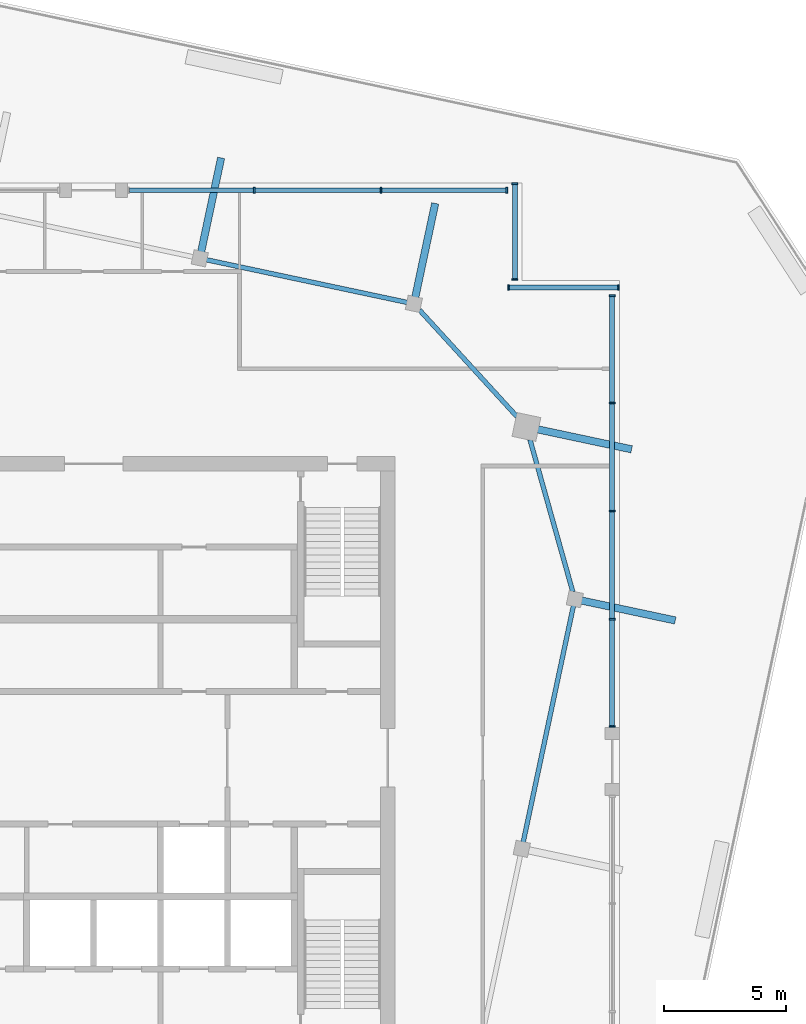
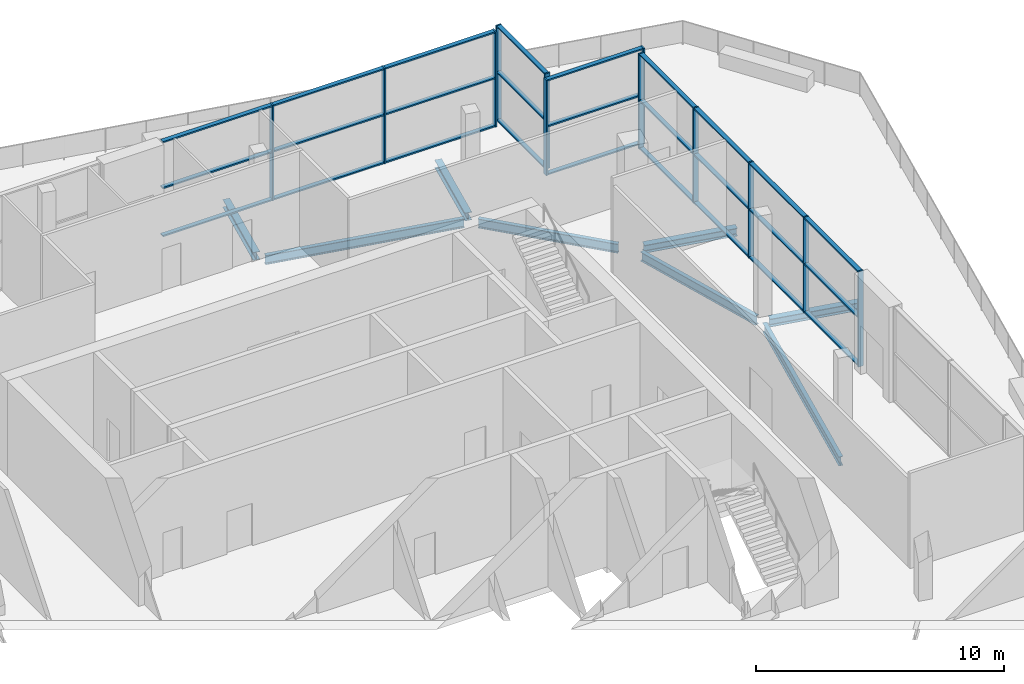
# One storey, part 5 of 14: 39 members, 8 beams, 4 elements without a shape of their own.
"""IFC4 building model written with IfcOpenShell, lengths in metres."""

from ifc_helpers import new_model, si_unit, direction, frame, origin, origin_2d, place, context, subcontext, project, spatial, rectangle, i_section, extrude, material, material_profile, profile_set, type_object, element, aggregate, save


model = new_model("IFC4")

# Units and contexts
model_context = context("Model", 3, precision=1e-05, world=origin(), true_north=direction((0.0, 1.0)))
body_context = subcontext(model_context, "Body", "Model", "MODEL_VIEW")
ifc_project = project(units=[si_unit("LENGTHUNIT", "METRE"), si_unit("AREAUNIT", "SQUARE_METRE"), si_unit("VOLUMEUNIT", "CUBIC_METRE"), si_unit("PLANEANGLEUNIT", "RADIAN"), si_unit("MASSUNIT", "GRAM", prefix="KILO")], contexts=[model_context])

# Site, building, storey
site_placement = place(None, origin())
site = spatial("IfcSite", under=ifc_project, at=site_placement, CompositionType="ELEMENT")
building_placement = place(site_placement, origin())
building = spatial("IfcBuilding", under=site, at=building_placement, Name="Dilmun Exchange Tower", CompositionType="ELEMENT")
storey_placement = place(building_placement, frame((0.0, 0.0, 368.10009765625)))
storey = spatial("IfcBuildingStorey", under=building, at=storey_placement, Name="Crown L86", CompositionType="ELEMENT", Elevation=368.10009765625)

# Curtain wall, members
ifc_material_1 = material(Name="Anodised aluminium and clear glass", Category="aluminium")
curtain_wall_type = type_object("IfcCurtainWallType", Name="Observation lounge glazing", PredefinedType="NOTDEFINED", material=ifc_material_1)
curtain_wall_1_placement = place(storey_placement, origin())
curtain_wall_1 = element("IfcCurtainWall", 1, at=curtain_wall_1_placement, inside=storey, type_object=curtain_wall_type, Name="Observation lounge glazing run OL1", PredefinedType="NOTDEFINED")
ifc_material_2 = material(Name="Anodised aluminium", Category="aluminium")
ifc_material_profile_1 = material_profile(ifc_material_2, rectangle(XDim=0.239990234375, YDim=0.070068359375, at=origin_2d()), Name="AL 70x240")
ifc_profile_set_1 = profile_set([ifc_material_profile_1], Name="Anodised aluminium")
member_type_1 = type_object("IfcMemberType", Name="Observation lounge glazing mullion 70 x 240", PredefinedType="MULLION", material=ifc_profile_set_1)
member_1_placement = place(storey_placement, frame((21.58837890625, 19.340087890625, 0.0), z_axis=(0.0, 0.0, 1.0), x_axis=(0.0, -1.0, 0.0)))
member_1 = element("IfcMember", 2, at=member_1_placement, type_object=member_type_1, Name="OL1 mullion 1", PredefinedType="MULLION", context=body_context, shape_type="SweptSolid", body=[
    extrude(rectangle(XDim=0.239990234375, YDim=0.070068359375, at=origin_2d()), origin(), (0.0, 0.0, 1.0), 4.699951171875),
])
member_2_placement = place(storey_placement, frame((17.05859375, 19.340087890625, 0.0), z_axis=(0.0, 0.0, 1.0), x_axis=(0.0, -1.0, 0.0)))
member_2 = element("IfcMember", 3, at=member_2_placement, type_object=member_type_1, Name="OL1 mullion 2", PredefinedType="MULLION", context=body_context, shape_type="SweptSolid", body=[
    extrude(rectangle(XDim=0.239990234375, YDim=0.070068359375, at=origin_2d()), origin(), (0.0, 0.0, 1.0), 4.699951171875),
])

curtain_wall_2_placement = place(storey_placement, origin())
curtain_wall_2 = element("IfcCurtainWall", 4, at=curtain_wall_2_placement, inside=storey, type_object=curtain_wall_type, Name="Observation lounge glazing run OL2", PredefinedType="NOTDEFINED")
member_3_placement = place(storey_placement, frame((17.323486328125, 19.67529296875, 0.0), z_axis=(0.0, 0.0, 1.0), x_axis=(-1.0, 0.0, 0.0)))
member_3 = element("IfcMember", 5, at=member_3_placement, type_object=member_type_1, Name="OL2 mullion 1", PredefinedType="MULLION", context=body_context, shape_type="SweptSolid", body=[
    extrude(rectangle(XDim=0.239990234375, YDim=0.070068359375, at=origin_2d()), origin(), (0.0, 0.0, 1.0), 4.699951171875),
])
member_4_placement = place(storey_placement, frame((17.323486328125, 23.605224609375, 0.0), z_axis=(0.0, 0.0, 1.0), x_axis=(-1.0, 0.0, 0.0)))
member_4 = element("IfcMember", 6, at=member_4_placement, type_object=member_type_1, Name="OL2 mullion 2", PredefinedType="MULLION", context=body_context, shape_type="SweptSolid", body=[
    extrude(rectangle(XDim=0.239990234375, YDim=0.070068359375, at=origin_2d()), origin(), (0.0, 0.0, 1.0), 4.699951171875),
])

curtain_wall_3_placement = place(storey_placement, origin())
curtain_wall_3 = element("IfcCurtainWall", 7, at=curtain_wall_3_placement, inside=storey, type_object=curtain_wall_type, Name="Observation lounge glazing run OL3.1", PredefinedType="NOTDEFINED")
member_5_placement = place(storey_placement, frame((16.988525390625, 23.340087890625, 0.0), z_axis=(0.0, 0.0, 1.0), x_axis=(0.0, -1.0, 0.0)))
member_5 = element("IfcMember", 8, at=member_5_placement, type_object=member_type_1, Name="OL3.1 mullion 1", PredefinedType="MULLION", context=body_context, shape_type="SweptSolid", body=[
    extrude(rectangle(XDim=0.239990234375, YDim=0.070068359375, at=origin_2d()), origin(), (0.0, 0.0, 1.0), 4.699951171875),
])
member_6_placement = place(storey_placement, frame((11.815673828125, 23.340087890625, 0.0), z_axis=(0.0, 0.0, 1.0), x_axis=(0.0, -1.0, 0.0)))
member_6 = element("IfcMember", 9, at=member_6_placement, type_object=member_type_1, Name="OL3.1 mullion 2", PredefinedType="MULLION", context=body_context, shape_type="SweptSolid", body=[
    extrude(rectangle(XDim=0.239990234375, YDim=0.070068359375, at=origin_2d()), origin(), (0.0, 0.0, 1.0), 4.699951171875),
])
member_7_placement = place(storey_placement, frame((6.60791015625, 23.340087890625, 0.0), z_axis=(0.0, 0.0, 1.0), x_axis=(0.0, -1.0, 0.0)))
member_7 = element("IfcMember", 10, at=member_7_placement, type_object=member_type_1, Name="OL3.1 mullion 3", PredefinedType="MULLION", context=body_context, shape_type="SweptSolid", body=[
    extrude(rectangle(XDim=0.239990234375, YDim=0.070068359375, at=origin_2d()), origin(), (0.0, 0.0, 1.0), 4.699951171875),
])

curtain_wall_4_placement = place(storey_placement, origin())
curtain_wall_4 = element("IfcCurtainWall", 11, at=curtain_wall_4_placement, inside=storey, type_object=curtain_wall_type, Name="Observation lounge glazing run OL12.E", PredefinedType="NOTDEFINED")
member_8_placement = place(storey_placement, frame((21.323486328125, 1.2880859375, 0.0), z_axis=(0.0, 0.0, 1.0), x_axis=(-1.0, 0.0, 0.0)))
member_8 = element("IfcMember", 12, at=member_8_placement, type_object=member_type_1, Name="OL12.E mullion 1", PredefinedType="MULLION", context=body_context, shape_type="SweptSolid", body=[
    extrude(rectangle(XDim=0.239990234375, YDim=0.070068359375, at=origin_2d()), origin(), (0.0, 0.0, 1.0), 4.699951171875),
])
member_9_placement = place(storey_placement, frame((21.323486328125, 5.69970703125, 0.0), z_axis=(0.0, 0.0, 1.0), x_axis=(-1.0, 0.0, 0.0)))
member_9 = element("IfcMember", 13, at=member_9_placement, type_object=member_type_1, Name="OL12.E mullion 2", PredefinedType="MULLION", context=body_context, shape_type="SweptSolid", body=[
    extrude(rectangle(XDim=0.239990234375, YDim=0.070068359375, at=origin_2d()), origin(), (0.0, 0.0, 1.0), 4.699951171875),
])
member_10_placement = place(storey_placement, frame((21.323486328125, 10.146484375, 0.0), z_axis=(0.0, 0.0, 1.0), x_axis=(-1.0, 0.0, 0.0)))
member_10 = element("IfcMember", 14, at=member_10_placement, type_object=member_type_1, Name="OL12.E mullion 3", PredefinedType="MULLION", context=body_context, shape_type="SweptSolid", body=[
    extrude(rectangle(XDim=0.239990234375, YDim=0.070068359375, at=origin_2d()), origin(), (0.0, 0.0, 1.0), 4.699951171875),
])
member_11_placement = place(storey_placement, frame((21.323486328125, 14.593505859375, 0.0), z_axis=(0.0, 0.0, 1.0), x_axis=(-1.0, 0.0, 0.0)))
member_11 = element("IfcMember", 15, at=member_11_placement, type_object=member_type_1, Name="OL12.E mullion 4", PredefinedType="MULLION", context=body_context, shape_type="SweptSolid", body=[
    extrude(rectangle(XDim=0.239990234375, YDim=0.070068359375, at=origin_2d()), origin(), (0.0, 0.0, 1.0), 4.699951171875),
])
member_12_placement = place(storey_placement, frame((21.323486328125, 19.005126953125, 0.0), z_axis=(0.0, 0.0, 1.0), x_axis=(-1.0, 0.0, 0.0)))
member_12 = element("IfcMember", 16, at=member_12_placement, type_object=member_type_1, Name="OL12.E mullion 5", PredefinedType="MULLION", context=body_context, shape_type="SweptSolid", body=[
    extrude(rectangle(XDim=0.239990234375, YDim=0.070068359375, at=origin_2d()), origin(), (0.0, 0.0, 1.0), 4.699951171875),
])

# Member
ifc_material_profile_2 = material_profile(ifc_material_2, rectangle(XDim=0.199951171875, YDim=0.070068359375, at=origin_2d()), Name="AL 70x200")
ifc_profile_set_2 = profile_set([ifc_material_profile_2], Name="Anodised aluminium")
member_type_2 = type_object("IfcMemberType", Name="Observation lounge glazing transom 70 x 200", PredefinedType="USERDEFINED", material=ifc_profile_set_2)
member_13_placement = place(storey_placement, frame((21.553466796875, 19.340087890625, 0.034912109375), z_axis=(-1.0, 0.0, 0.0), x_axis=(0.0, -1.0, 0.0)))
member_13 = element("IfcMember", 17, at=member_13_placement, type_object=member_type_2, Name="OL1 transom 1.1", ObjectType="TRANSOM", PredefinedType="USERDEFINED", context=body_context, shape_type="SweptSolid", body=[
    extrude(rectangle(XDim=0.199951171875, YDim=0.070068359375, at=origin_2d()), origin(), (0.0, 0.0, 1.0), 4.4599609375),
])

member_14_placement = place(storey_placement, frame((21.553466796875, 19.340087890625, 2.39990234375), z_axis=(-1.0, 0.0, 0.0), x_axis=(0.0, -1.0, 0.0)))
member_14 = element("IfcMember", 18, at=member_14_placement, type_object=member_type_2, Name="OL1 transom 1.2", ObjectType="TRANSOM", PredefinedType="USERDEFINED", context=body_context, shape_type="SweptSolid", body=[
    extrude(rectangle(XDim=0.199951171875, YDim=0.070068359375, at=origin_2d()), origin(), (0.0, 0.0, 1.0), 4.4599609375),
])

member_15_placement = place(storey_placement, frame((21.553466796875, 19.340087890625, 4.664794921875), z_axis=(-1.0, 0.0, 0.0), x_axis=(0.0, -1.0, 0.0)))
member_15 = element("IfcMember", 19, at=member_15_placement, type_object=member_type_2, Name="OL1 transom 1.3", ObjectType="TRANSOM", PredefinedType="USERDEFINED", context=body_context, shape_type="SweptSolid", body=[
    extrude(rectangle(XDim=0.199951171875, YDim=0.070068359375, at=origin_2d()), origin(), (0.0, 0.0, 1.0), 4.4599609375),
])

aggregate(curtain_wall_1, [member_1, member_2, member_13, member_14, member_15])

member_16_placement = place(storey_placement, frame((17.323486328125, 19.710205078125, 0.034912109375), z_axis=(0.0, 1.0, 0.0), x_axis=(-1.0, 0.0, 0.0)))
member_16 = element("IfcMember", 20, at=member_16_placement, type_object=member_type_2, Name="OL2 transom 1.1", ObjectType="TRANSOM", PredefinedType="USERDEFINED", context=body_context, shape_type="SweptSolid", body=[
    extrude(rectangle(XDim=0.199951171875, YDim=0.070068359375, at=origin_2d()), origin(), (0.0, 0.0, 1.0), 3.860107421875),
])

member_17_placement = place(storey_placement, frame((17.323486328125, 19.710205078125, 2.39990234375), z_axis=(0.0, 1.0, 0.0), x_axis=(-1.0, 0.0, 0.0)))
member_17 = element("IfcMember", 21, at=member_17_placement, type_object=member_type_2, Name="OL2 transom 1.2", ObjectType="TRANSOM", PredefinedType="USERDEFINED", context=body_context, shape_type="SweptSolid", body=[
    extrude(rectangle(XDim=0.199951171875, YDim=0.070068359375, at=origin_2d()), origin(), (0.0, 0.0, 1.0), 3.860107421875),
])

member_18_placement = place(storey_placement, frame((17.323486328125, 19.710205078125, 4.664794921875), z_axis=(0.0, 1.0, 0.0), x_axis=(-1.0, 0.0, 0.0)))
member_18 = element("IfcMember", 22, at=member_18_placement, type_object=member_type_2, Name="OL2 transom 1.3", ObjectType="TRANSOM", PredefinedType="USERDEFINED", context=body_context, shape_type="SweptSolid", body=[
    extrude(rectangle(XDim=0.199951171875, YDim=0.070068359375, at=origin_2d()), origin(), (0.0, 0.0, 1.0), 3.860107421875),
])

aggregate(curtain_wall_2, [member_3, member_4, member_16, member_17, member_18])

member_19_placement = place(storey_placement, frame((16.95361328125, 23.340087890625, 0.034912109375), z_axis=(-1.0, 0.0, 0.0), x_axis=(0.0, -1.0, 0.0)))
member_19 = element("IfcMember", 23, at=member_19_placement, type_object=member_type_2, Name="OL3.1 transom 1.1", ObjectType="TRANSOM", PredefinedType="USERDEFINED", context=body_context, shape_type="SweptSolid", body=[
    extrude(rectangle(XDim=0.199951171875, YDim=0.070068359375, at=origin_2d()), origin(), (0.0, 0.0, 1.0), 5.10302734375),
])

member_20_placement = place(storey_placement, frame((16.95361328125, 23.340087890625, 2.39990234375), z_axis=(-1.0, 0.0, 0.0), x_axis=(0.0, -1.0, 0.0)))
member_20 = element("IfcMember", 24, at=member_20_placement, type_object=member_type_2, Name="OL3.1 transom 1.2", ObjectType="TRANSOM", PredefinedType="USERDEFINED", context=body_context, shape_type="SweptSolid", body=[
    extrude(rectangle(XDim=0.199951171875, YDim=0.070068359375, at=origin_2d()), origin(), (0.0, 0.0, 1.0), 5.10302734375),
])

member_21_placement = place(storey_placement, frame((16.95361328125, 23.340087890625, 4.664794921875), z_axis=(-1.0, 0.0, 0.0), x_axis=(0.0, -1.0, 0.0)))
member_21 = element("IfcMember", 25, at=member_21_placement, type_object=member_type_2, Name="OL3.1 transom 1.3", ObjectType="TRANSOM", PredefinedType="USERDEFINED", context=body_context, shape_type="SweptSolid", body=[
    extrude(rectangle(XDim=0.199951171875, YDim=0.070068359375, at=origin_2d()), origin(), (0.0, 0.0, 1.0), 5.10302734375),
])

member_22_placement = place(storey_placement, frame((11.78076171875, 23.340087890625, 0.034912109375), z_axis=(-1.0, 0.0, 0.0), x_axis=(0.0, -1.0, 0.0)))
member_22 = element("IfcMember", 26, at=member_22_placement, type_object=member_type_2, Name="OL3.1 transom 2.1", ObjectType="TRANSOM", PredefinedType="USERDEFINED", context=body_context, shape_type="SweptSolid", body=[
    extrude(rectangle(XDim=0.199951171875, YDim=0.070068359375, at=origin_2d()), origin(), (0.0, 0.0, 1.0), 5.137939453125),
])

member_23_placement = place(storey_placement, frame((11.78076171875, 23.340087890625, 2.39990234375), z_axis=(-1.0, 0.0, 0.0), x_axis=(0.0, -1.0, 0.0)))
member_23 = element("IfcMember", 27, at=member_23_placement, type_object=member_type_2, Name="OL3.1 transom 2.2", ObjectType="TRANSOM", PredefinedType="USERDEFINED", context=body_context, shape_type="SweptSolid", body=[
    extrude(rectangle(XDim=0.199951171875, YDim=0.070068359375, at=origin_2d()), origin(), (0.0, 0.0, 1.0), 5.137939453125),
])

member_24_placement = place(storey_placement, frame((11.78076171875, 23.340087890625, 4.664794921875), z_axis=(-1.0, 0.0, 0.0), x_axis=(0.0, -1.0, 0.0)))
member_24 = element("IfcMember", 28, at=member_24_placement, type_object=member_type_2, Name="OL3.1 transom 2.3", ObjectType="TRANSOM", PredefinedType="USERDEFINED", context=body_context, shape_type="SweptSolid", body=[
    extrude(rectangle(XDim=0.199951171875, YDim=0.070068359375, at=origin_2d()), origin(), (0.0, 0.0, 1.0), 5.137939453125),
])

member_25_placement = place(storey_placement, frame((6.57275390625, 23.340087890625, 0.034912109375), z_axis=(-1.0, 0.0, 0.0), x_axis=(0.0, -1.0, 0.0)))
member_25 = element("IfcMember", 29, at=member_25_placement, type_object=member_type_2, Name="OL3.1 transom 3.1", ObjectType="TRANSOM", PredefinedType="USERDEFINED", context=body_context, shape_type="SweptSolid", body=[
    extrude(rectangle(XDim=0.199951171875, YDim=0.070068359375, at=origin_2d()), origin(), (0.0, 0.0, 1.0), 5.102783203125),
])

member_26_placement = place(storey_placement, frame((6.57275390625, 23.340087890625, 2.39990234375), z_axis=(-1.0, 0.0, 0.0), x_axis=(0.0, -1.0, 0.0)))
member_26 = element("IfcMember", 30, at=member_26_placement, type_object=member_type_2, Name="OL3.1 transom 3.2", ObjectType="TRANSOM", PredefinedType="USERDEFINED", context=body_context, shape_type="SweptSolid", body=[
    extrude(rectangle(XDim=0.199951171875, YDim=0.070068359375, at=origin_2d()), origin(), (0.0, 0.0, 1.0), 5.102783203125),
])

member_27_placement = place(storey_placement, frame((6.57275390625, 23.340087890625, 4.664794921875), z_axis=(-1.0, 0.0, 0.0), x_axis=(0.0, -1.0, 0.0)))
member_27 = element("IfcMember", 31, at=member_27_placement, type_object=member_type_2, Name="OL3.1 transom 3.3", ObjectType="TRANSOM", PredefinedType="USERDEFINED", context=body_context, shape_type="SweptSolid", body=[
    extrude(rectangle(XDim=0.199951171875, YDim=0.070068359375, at=origin_2d()), origin(), (0.0, 0.0, 1.0), 5.102783203125),
])

aggregate(curtain_wall_3, [member_5, member_6, member_7, member_19, member_20, member_21, member_22, member_23, member_24, member_25, member_26, member_27])

member_28_placement = place(storey_placement, frame((21.323486328125, 1.322998046875, 0.034912109375), z_axis=(0.0, 1.0, 0.0), x_axis=(-1.0, 0.0, 0.0)))
member_28 = element("IfcMember", 32, at=member_28_placement, type_object=member_type_2, Name="OL12.E transom 1.1", ObjectType="TRANSOM", PredefinedType="USERDEFINED", context=body_context, shape_type="SweptSolid", body=[
    extrude(rectangle(XDim=0.199951171875, YDim=0.070068359375, at=origin_2d()), origin(), (0.0, 0.0, 1.0), 4.341796875),
])

member_29_placement = place(storey_placement, frame((21.323486328125, 1.322998046875, 2.39990234375), z_axis=(0.0, 1.0, 0.0), x_axis=(-1.0, 0.0, 0.0)))
member_29 = element("IfcMember", 33, at=member_29_placement, type_object=member_type_2, Name="OL12.E transom 1.2", ObjectType="TRANSOM", PredefinedType="USERDEFINED", context=body_context, shape_type="SweptSolid", body=[
    extrude(rectangle(XDim=0.199951171875, YDim=0.070068359375, at=origin_2d()), origin(), (0.0, 0.0, 1.0), 4.341796875),
])

member_30_placement = place(storey_placement, frame((21.323486328125, 1.322998046875, 4.664794921875), z_axis=(0.0, 1.0, 0.0), x_axis=(-1.0, 0.0, 0.0)))
member_30 = element("IfcMember", 34, at=member_30_placement, type_object=member_type_2, Name="OL12.E transom 1.3", ObjectType="TRANSOM", PredefinedType="USERDEFINED", context=body_context, shape_type="SweptSolid", body=[
    extrude(rectangle(XDim=0.199951171875, YDim=0.070068359375, at=origin_2d()), origin(), (0.0, 0.0, 1.0), 4.341796875),
])

member_31_placement = place(storey_placement, frame((21.323486328125, 5.73486328125, 0.034912109375), z_axis=(0.0, 1.0, 0.0), x_axis=(-1.0, 0.0, 0.0)))
member_31 = element("IfcMember", 35, at=member_31_placement, type_object=member_type_2, Name="OL12.E transom 2.1", ObjectType="TRANSOM", PredefinedType="USERDEFINED", context=body_context, shape_type="SweptSolid", body=[
    extrude(rectangle(XDim=0.199951171875, YDim=0.070068359375, at=origin_2d()), origin(), (0.0, 0.0, 1.0), 4.376708984375),
])

member_32_placement = place(storey_placement, frame((21.323486328125, 5.73486328125, 2.39990234375), z_axis=(0.0, 1.0, 0.0), x_axis=(-1.0, 0.0, 0.0)))
member_32 = element("IfcMember", 36, at=member_32_placement, type_object=member_type_2, Name="OL12.E transom 2.2", ObjectType="TRANSOM", PredefinedType="USERDEFINED", context=body_context, shape_type="SweptSolid", body=[
    extrude(rectangle(XDim=0.199951171875, YDim=0.070068359375, at=origin_2d()), origin(), (0.0, 0.0, 1.0), 4.376708984375),
])

member_33_placement = place(storey_placement, frame((21.323486328125, 5.73486328125, 4.664794921875), z_axis=(0.0, 1.0, 0.0), x_axis=(-1.0, 0.0, 0.0)))
member_33 = element("IfcMember", 37, at=member_33_placement, type_object=member_type_2, Name="OL12.E transom 2.3", ObjectType="TRANSOM", PredefinedType="USERDEFINED", context=body_context, shape_type="SweptSolid", body=[
    extrude(rectangle(XDim=0.199951171875, YDim=0.070068359375, at=origin_2d()), origin(), (0.0, 0.0, 1.0), 4.376708984375),
])

member_34_placement = place(storey_placement, frame((21.323486328125, 10.181640625, 0.034912109375), z_axis=(0.0, 1.0, 0.0), x_axis=(-1.0, 0.0, 0.0)))
member_34 = element("IfcMember", 38, at=member_34_placement, type_object=member_type_2, Name="OL12.E transom 3.1", ObjectType="TRANSOM", PredefinedType="USERDEFINED", context=body_context, shape_type="SweptSolid", body=[
    extrude(rectangle(XDim=0.199951171875, YDim=0.070068359375, at=origin_2d()), origin(), (0.0, 0.0, 1.0), 4.376708984375),
])

member_35_placement = place(storey_placement, frame((21.323486328125, 10.181640625, 2.39990234375), z_axis=(0.0, 1.0, 0.0), x_axis=(-1.0, 0.0, 0.0)))
member_35 = element("IfcMember", 39, at=member_35_placement, type_object=member_type_2, Name="OL12.E transom 3.2", ObjectType="TRANSOM", PredefinedType="USERDEFINED", context=body_context, shape_type="SweptSolid", body=[
    extrude(rectangle(XDim=0.199951171875, YDim=0.070068359375, at=origin_2d()), origin(), (0.0, 0.0, 1.0), 4.376708984375),
])

member_36_placement = place(storey_placement, frame((21.323486328125, 10.181640625, 4.664794921875), z_axis=(0.0, 1.0, 0.0), x_axis=(-1.0, 0.0, 0.0)))
member_36 = element("IfcMember", 40, at=member_36_placement, type_object=member_type_2, Name="OL12.E transom 3.3", ObjectType="TRANSOM", PredefinedType="USERDEFINED", context=body_context, shape_type="SweptSolid", body=[
    extrude(rectangle(XDim=0.199951171875, YDim=0.070068359375, at=origin_2d()), origin(), (0.0, 0.0, 1.0), 4.376708984375),
])

member_37_placement = place(storey_placement, frame((21.323486328125, 14.62841796875, 0.034912109375), z_axis=(0.0, 1.0, 0.0), x_axis=(-1.0, 0.0, 0.0)))
member_37 = element("IfcMember", 41, at=member_37_placement, type_object=member_type_2, Name="OL12.E transom 4.1", ObjectType="TRANSOM", PredefinedType="USERDEFINED", context=body_context, shape_type="SweptSolid", body=[
    extrude(rectangle(XDim=0.199951171875, YDim=0.070068359375, at=origin_2d()), origin(), (0.0, 0.0, 1.0), 4.341796875),
])

member_38_placement = place(storey_placement, frame((21.323486328125, 14.62841796875, 2.39990234375), z_axis=(0.0, 1.0, 0.0), x_axis=(-1.0, 0.0, 0.0)))
member_38 = element("IfcMember", 42, at=member_38_placement, type_object=member_type_2, Name="OL12.E transom 4.2", ObjectType="TRANSOM", PredefinedType="USERDEFINED", context=body_context, shape_type="SweptSolid", body=[
    extrude(rectangle(XDim=0.199951171875, YDim=0.070068359375, at=origin_2d()), origin(), (0.0, 0.0, 1.0), 4.341796875),
])

member_39_placement = place(storey_placement, frame((21.323486328125, 14.62841796875, 4.664794921875), z_axis=(0.0, 1.0, 0.0), x_axis=(-1.0, 0.0, 0.0)))
member_39 = element("IfcMember", 43, at=member_39_placement, type_object=member_type_2, Name="OL12.E transom 4.3", ObjectType="TRANSOM", PredefinedType="USERDEFINED", context=body_context, shape_type="SweptSolid", body=[
    extrude(rectangle(XDim=0.199951171875, YDim=0.070068359375, at=origin_2d()), origin(), (0.0, 0.0, 1.0), 4.341796875),
])

aggregate(curtain_wall_4, [member_8, member_9, member_10, member_11, member_12, member_28, member_29, member_30, member_31, member_32, member_33, member_34, member_35, member_36, member_37, member_38, member_39])

# Beams
ifc_material_3 = material(Name="Steel S355", Category="steel")
ifc_material_profile_3 = material_profile(ifc_material_3, i_section(OverallWidth=0.300048828125, OverallDepth=0.389892578125, WebThickness=0.010986328125, FlangeThickness=0.01904296875, FilletRadius=0.027099609375, at=origin_2d()), Name="HEA 400")
ifc_profile_set_3 = profile_set([ifc_material_profile_3], Name="Steel S355")
beam_type_1 = type_object("IfcBeamType", Name="crown cantilever beam HEA 400", PredefinedType="BEAM", material=ifc_profile_set_3)
beam_1_placement = place(storey_placement, frame((20.056884765625, 6.47119140625, -0.4951171875), z_axis=(0.978146596989, -0.207916413008, 0.0), x_axis=(0.207916413008, 0.978146596989, 0.0)))
element("IfcBeam", 44, at=beam_1_placement, inside=storey, type_object=beam_type_1, Name="Crown cantilever beam 12", PredefinedType="BEAM", context=body_context, shape_type="SweptSolid", body=[
    extrude(i_section(OverallWidth=0.300048828125, OverallDepth=0.389892578125, WebThickness=0.010986328125, FlangeThickness=0.01904296875, FilletRadius=0.027099609375, at=origin_2d()), origin(), (0.0, 0.0, 1.0), 3.9501953125),
])
beam_2_placement = place(storey_placement, frame((18.2607421875, 13.5087890625, -0.4951171875), z_axis=(0.978143924908, -0.207928983469, 0.0), x_axis=(0.207928983469, 0.978143924908, 0.0)))
element("IfcBeam", 45, at=beam_2_placement, inside=storey, type_object=beam_type_1, Name="Crown cantilever beam 13", PredefinedType="BEAM", context=body_context, shape_type="SweptSolid", body=[
    extrude(i_section(OverallWidth=0.300048828125, OverallDepth=0.389892578125, WebThickness=0.010986328125, FlangeThickness=0.01904296875, FilletRadius=0.027099609375, at=origin_2d()), origin(), (0.0, 0.0, 1.0), 3.949951171875),
])
beam_3_placement = place(storey_placement, frame((13.225830078125, 18.93701171875, -0.4951171875), z_axis=(0.207916413008, 0.978146596989, 0.0), x_axis=(-0.978146596989, 0.207916413008, 0.0)))
element("IfcBeam", 46, at=beam_3_placement, inside=storey, type_object=beam_type_1, Name="Crown cantilever beam 14", PredefinedType="BEAM", context=body_context, shape_type="SweptSolid", body=[
    extrude(i_section(OverallWidth=0.300048828125, OverallDepth=0.389892578125, WebThickness=0.010986328125, FlangeThickness=0.01904296875, FilletRadius=0.027099609375, at=origin_2d()), origin(), (0.0, 0.0, 1.0), 3.9501953125),
])
beam_4_placement = place(storey_placement, frame((4.4228515625, 20.80810546875, -0.4951171875), z_axis=(0.20786984461, 0.978156494484, 0.0), x_axis=(-0.978156494484, 0.20786984461, 0.0)))
element("IfcBeam", 47, at=beam_4_placement, inside=storey, type_object=beam_type_1, Name="Crown cantilever beam 15", PredefinedType="BEAM", context=body_context, shape_type="SweptSolid", body=[
    extrude(i_section(OverallWidth=0.300048828125, OverallDepth=0.389892578125, WebThickness=0.010986328125, FlangeThickness=0.01904296875, FilletRadius=0.027099609375, at=origin_2d()), origin(), (0.0, 0.0, 1.0), 3.94970703125),
])
ifc_material_profile_4 = material_profile(ifc_material_3, i_section(OverallWidth=0.18994140625, OverallDepth=0.449951171875, WebThickness=0.009521484375, FlangeThickness=0.0146484375, FilletRadius=0.02099609375, at=origin_2d()), Name="IPE 450")
ifc_profile_set_4 = profile_set([ifc_material_profile_4], Name="Steel S355")
beam_type_2 = type_object("IfcBeamType", Name="crown ring beam IPE 450", PredefinedType="BEAM", material=ifc_profile_set_4)
beam_5_placement = place(storey_placement, frame((17.663818359375, -3.47509765625, -0.525146484375), z_axis=(0.207898944968, 0.978150309861, 0.0), x_axis=(-0.978150309861, 0.207898944968, 0.0)))
element("IfcBeam", 48, at=beam_5_placement, inside=storey, type_object=beam_type_2, Name="Crown ring beam 11", PredefinedType="BEAM", context=body_context, shape_type="SweptSolid", body=[
    extrude(i_section(OverallWidth=0.18994140625, OverallDepth=0.449951171875, WebThickness=0.009521484375, FlangeThickness=0.0146484375, FilletRadius=0.02099609375, at=origin_2d()), origin(), (0.0, 0.0, 1.0), 9.95361328125),
])
beam_6_placement = place(storey_placement, frame((19.70556640625, 6.828125, -0.525146484375), z_axis=(-0.27088688056, 0.962611187313, 0.0), x_axis=(-0.962611187313, -0.27088688056, 0.0)))
element("IfcBeam", 49, at=beam_6_placement, inside=storey, type_object=beam_type_2, Name="Crown ring beam 12", PredefinedType="BEAM", context=body_context, shape_type="SweptSolid", body=[
    extrude(i_section(OverallWidth=0.18994140625, OverallDepth=0.449951171875, WebThickness=0.009521484375, FlangeThickness=0.0146484375, FilletRadius=0.02099609375, at=origin_2d()), origin(), (0.0, 0.0, 1.0), 6.50439453125),
])
beam_7_placement = place(storey_placement, frame((17.401611328125, 14.040771484375, -0.525146484375), z_axis=(-0.674784574678, 0.738014754443, 0.0), x_axis=(-0.738014754443, -0.674784574678, 0.0)))
element("IfcBeam", 50, at=beam_7_placement, inside=storey, type_object=beam_type_2, Name="Crown ring beam 13", PredefinedType="BEAM", context=body_context, shape_type="SweptSolid", body=[
    extrude(i_section(OverallWidth=0.18994140625, OverallDepth=0.449951171875, WebThickness=0.009521484375, FlangeThickness=0.0146484375, FilletRadius=0.02099609375, at=origin_2d()), origin(), (0.0, 0.0, 1.0), 5.9306640625),
])
beam_8_placement = place(storey_placement, frame((12.902099609375, 18.726806640625, -0.525146484375), z_axis=(-0.978155180899, 0.207876025749, 0.0), x_axis=(-0.207876025749, -0.978155180899, 0.0)))
element("IfcBeam", 51, at=beam_8_placement, inside=storey, type_object=beam_type_2, Name="Crown ring beam 14", PredefinedType="BEAM", context=body_context, shape_type="SweptSolid", body=[
    extrude(i_section(OverallWidth=0.18994140625, OverallDepth=0.449951171875, WebThickness=0.009521484375, FlangeThickness=0.0146484375, FilletRadius=0.02099609375, at=origin_2d()), origin(), (0.0, 0.0, 1.0), 8.45361328125),
])

save(model, "model.ifc")
